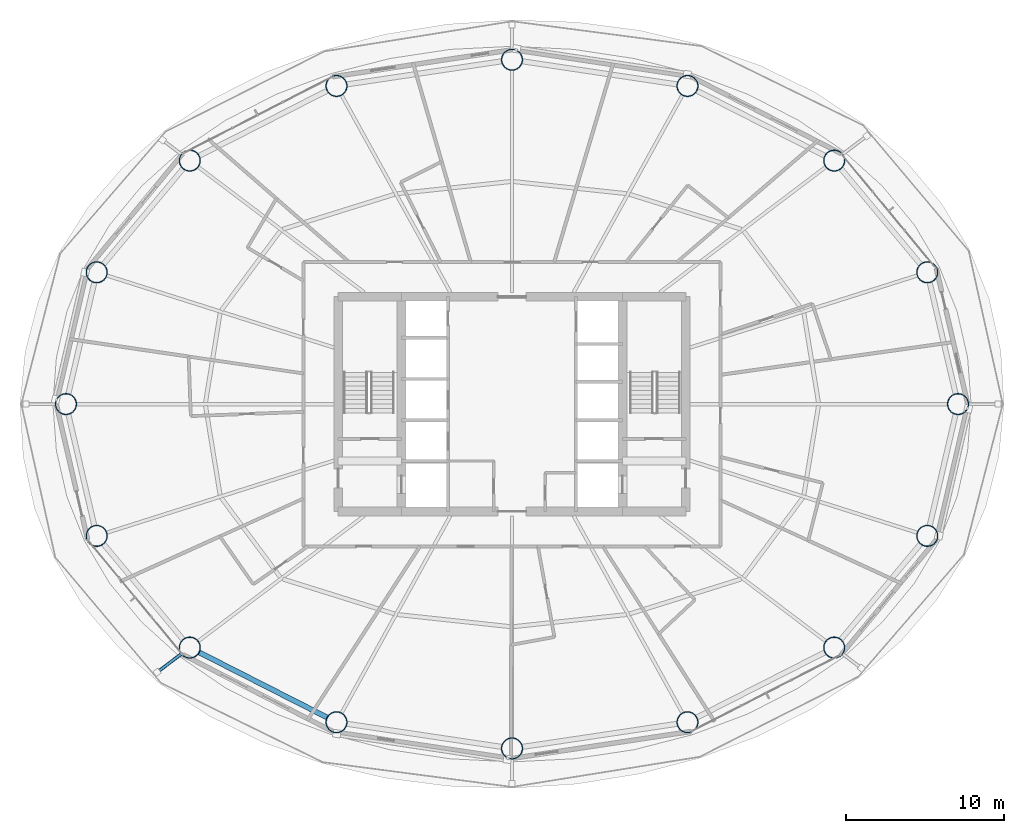
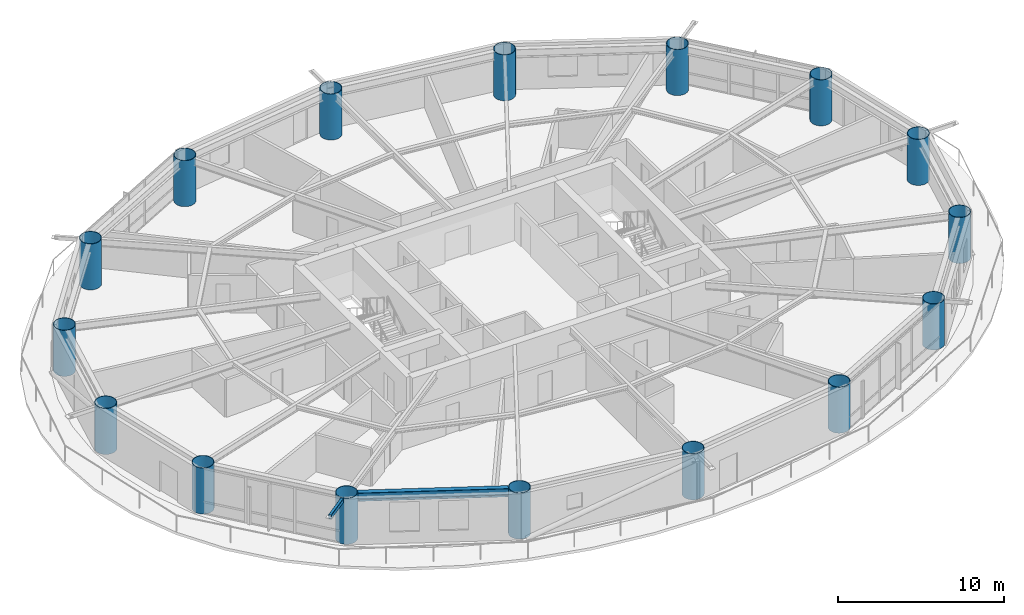
# One storey, part 1 of 24: 16 columns, 1 beam, 1 member.
"""IFC4 building model written with IfcOpenShell, lengths in metres."""

from ifc_helpers import new_model, si_unit, direction, frame, origin, origin_2d, place, context, subcontext, project, spatial, hollow_rectangle, hollow_circle, i_section, extrude, material, material_profile, profile_set, type_object, element, save


model = new_model("IFC4")

# Units and contexts
model_context = context("Model", 3, precision=1e-05, world=origin(), true_north=direction((0.0, 1.0)))
body_context = subcontext(model_context, "Body", "Model", "MODEL_VIEW")
ifc_project = project(units=[si_unit("LENGTHUNIT", "METRE"), si_unit("AREAUNIT", "SQUARE_METRE"), si_unit("VOLUMEUNIT", "CUBIC_METRE"), si_unit("PLANEANGLEUNIT", "RADIAN"), si_unit("MASSUNIT", "GRAM", prefix="KILO")], contexts=[model_context])

# Site, building, storey
site_placement = place(None, origin())
site = spatial("IfcSite", under=ifc_project, at=site_placement, CompositionType="ELEMENT")
building_placement = place(site_placement, origin())
building = spatial("IfcBuilding", under=site, at=building_placement, Name="Sarneth Arch Tower", CompositionType="ELEMENT")
storey_placement = place(building_placement, frame((0.0, 0.0, 120.0)))
storey = spatial("IfcBuildingStorey", under=building, at=storey_placement, Name="L30", CompositionType="ELEMENT", Elevation=120.0)

# Columns
ifc_material_1 = material(Name="Steel S355", Category="steel")
ifc_material_profile_1 = material_profile(ifc_material_1, hollow_circle(Radius=0.675048828125, WallThickness=0.035888671875, at=origin_2d()), Name="CHS1350x36")
ifc_profile_set_1 = profile_set([ifc_material_profile_1], Name="Steel S355")
column_type = type_object("IfcColumnType", Name="COL-MEGA-1350", PredefinedType="COLUMN", material=ifc_profile_set_1)
for number, where, z_axis, x_axis, name in (
    (1, (76.236572265625, 42.0, 0.0), (0.0, 0.0, 1.0), (1.0, 0.0, 0.0), "L30 Perimeter mega-column M01"),
    (2, (74.291259765625, 50.342529296875, 0.0), (0.0, 0.0, 1.0), (1.0, 0.0, 0.0), "L30 Perimeter mega-column M02"),
    (3, (68.397705078125, 57.4150390625, 0.0), (0.0, 0.0, 1.0), (1.0, 0.0, 0.0), "L30 Perimeter mega-column M03"),
    (4, (59.1103515625, 62.140625, 0.0), (0.0, 0.0, 1.0), (1.0, 0.0, 0.0), "L30 Perimeter mega-column M04"),
    (5, (48.0, 63.800048828125, 0.0), (0.0, 0.0, 1.0), (1.0, 0.0, 0.0), "L30 Perimeter mega-column M05"),
    (6, (36.8896484375, 62.140625, 0.0), (0.0, 0.0, 1.0), (1.0, 0.0, 0.0), "L30 Perimeter mega-column M06"),
    (7, (27.602294921875, 57.4150390625, 0.0), (0.0, 0.0, 1.0), (1.0, 0.0, 0.0), "L30 Perimeter mega-column M07"),
    (8, (21.708740234375, 50.342529296875, 0.0), (0.0, 0.0, 1.0), (1.0, 0.0, 0.0), "L30 Perimeter mega-column M08"),
    (9, (19.763427734375, 42.0, 0.0), (0.0, 0.0, 1.0), (1.0, 0.0, 0.0), "L30 Perimeter mega-column M09"),
    (10, (21.708740234375, 33.657470703125, 0.0), (0.0, 0.0, 1.0), (1.0, 0.0, 0.0), "L30 Perimeter mega-column M10"),
    (11, (27.602294921875, 26.5849609375, 0.0), (0.0, 0.0, 1.0), (1.0, 0.0, 0.0), "L30 Perimeter mega-column M11"),
    (12, (36.8896484375, 21.859375, 0.0), (0.0, 0.0, 1.0), (1.0, 0.0, 0.0), "L30 Perimeter mega-column M12"),
    (13, (48.0, 20.199951171875, 0.0), (0.0, 0.0, 1.0), (1.0, 0.0, 0.0), "L30 Perimeter mega-column M13"),
    (14, (59.1103515625, 21.859375, 0.0), (0.0, 0.0, 1.0), (1.0, 0.0, 0.0), "L30 Perimeter mega-column M14"),
    (15, (68.397705078125, 26.5849609375, 0.0), (0.0, 0.0, 1.0), (1.0, 0.0, 0.0), "L30 Perimeter mega-column M15"),
    (16, (74.291259765625, 33.657470703125, 0.0), (0.0, 0.0, 1.0), (1.0, 0.0, 0.0), "L30 Perimeter mega-column M16"),
):
    element("IfcColumn", number, at=place(storey_placement, frame(where, z_axis=z_axis, x_axis=x_axis)), inside=storey, type_object=column_type, Name=name, PredefinedType="COLUMN", context=body_context, shape_type="SweptSolid", body=[
        extrude(hollow_circle(Radius=0.675048828125, WallThickness=0.035888671875, at=origin_2d()), origin(), (0.0, 0.0, 1.0), 3.3798828125),
    ])

# Beam
ifc_material_2 = material(Name="Steel S355", Category="steel")
ifc_material_profile_2 = material_profile(ifc_material_2, i_section(OverallWidth=0.323974609375, OverallDepth=0.611083984375, WebThickness=0.0126953125, FlangeThickness=0.01904296875, FilletRadius=0.01904296875, at=origin_2d()), Name="W610x155")
ifc_profile_set_2 = profile_set([ifc_material_profile_2], Name="Steel S355")
beam_type = type_object("IfcBeamType", Name="BM-SPAN-610B", PredefinedType="SPANDREL", material=ifc_profile_set_2)
beam_placement = place(storey_placement, frame((28.203857421875, 26.279052734375, 3.074462890625), z_axis=(0.891255891792, -0.453500755619, 0.0), x_axis=(0.453500755619, 0.891255891792, 0.0)))
element("IfcBeam", 17, at=beam_placement, inside=storey, type_object=beam_type, Name="L30 Perimeter spandrel beam 11", PredefinedType="SPANDREL", context=body_context, shape_type="SweptSolid", body=[
    extrude(i_section(OverallWidth=0.323974609375, OverallDepth=0.611083984375, WebThickness=0.0126953125, FlangeThickness=0.01904296875, FilletRadius=0.01904296875, at=origin_2d()), origin(), (0.0, 0.0, 1.0), 9.070556640625),
])

# Member
ifc_material_3 = material(Name="Steel S355", Category="steel")
ifc_material_profile_3 = material_profile(ifc_material_3, hollow_rectangle(XDim=0.199951171875, YDim=0.300048828125, WallThickness=0.012451171875, InnerFilletRadius=0.018798828125, OuterFilletRadius=0.03125, at=origin_2d()), Name="RHS300x200x12.5")
ifc_profile_set_3 = profile_set([ifc_material_profile_3], Name="Steel S355")
member_type = type_object("IfcMemberType", Name="MEM-CANT-STRUT", PredefinedType="STRUT", material=ifc_profile_set_3)
member_placement = place(storey_placement, frame((27.063720703125, 26.177978515625, 3.219970703125), z_axis=(-0.797808773772, -0.602910574208, 0.0), x_axis=(0.602910574208, -0.797808773772, 0.0)))
element("IfcMember", 18, at=member_placement, inside=storey, type_object=member_type, Name="L30 Balcony cantilever bracket 11", PredefinedType="STRUT", context=body_context, shape_type="SweptSolid", body=[
    extrude(hollow_rectangle(XDim=0.199951171875, YDim=0.300048828125, WallThickness=0.012451171875, InnerFilletRadius=0.018798828125, OuterFilletRadius=0.03125, at=origin_2d()), origin(), (0.0, 0.0, 1.0), 1.91650390625),
])

save(model, "model.ifc")
